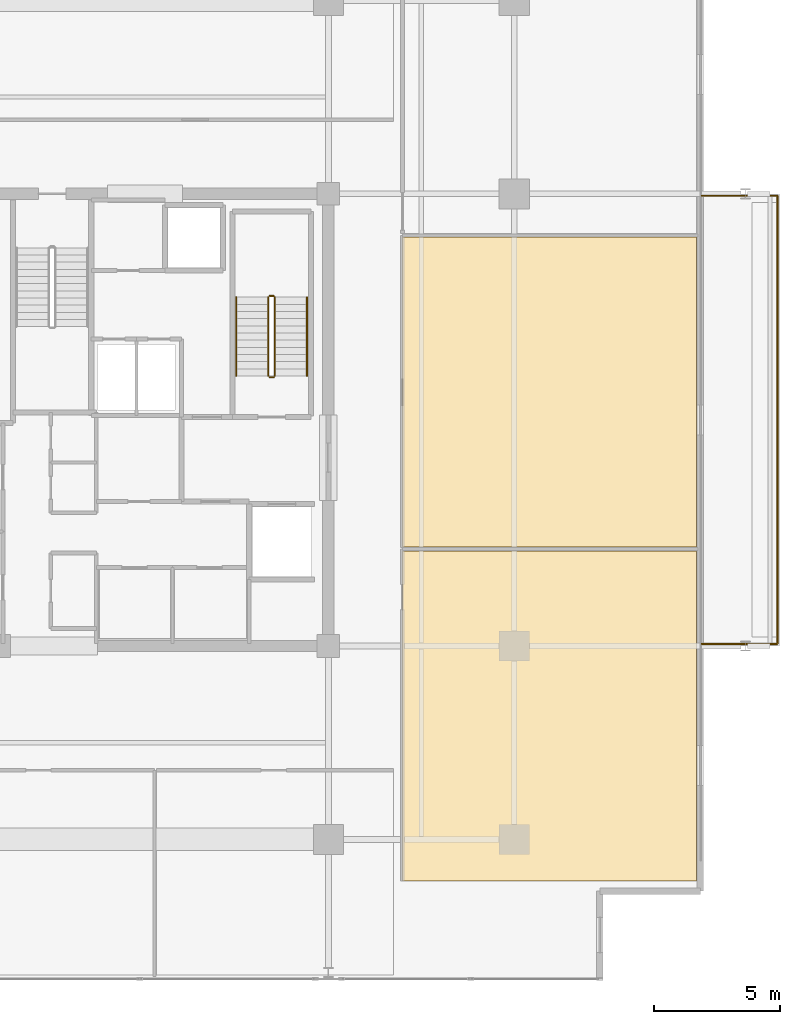
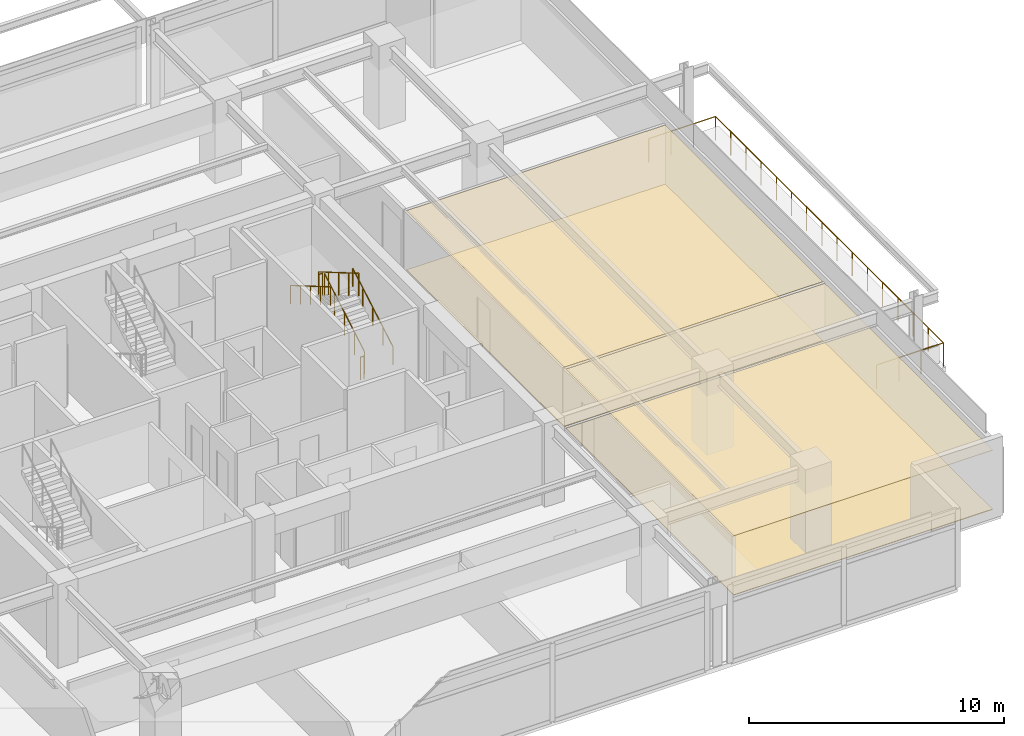
# One storey, part 19 of 20: 7 railings, 4 coverings.
"""IFC4 building model written with IfcOpenShell, lengths in metres."""

from ifc_helpers import new_model, si_unit, direction, frame, origin, origin_2d, place, context, subcontext, project, spatial, polyline, circle, outline, extrude, material, layer, layer_set, type_object, element, save


model = new_model("IFC4")

# Units and contexts
model_context = context("Model", 3, precision=1e-05, world=origin(), true_north=direction((0.0, 1.0)))
body_context = subcontext(model_context, "Body", "Model", "MODEL_VIEW")
ifc_project = project(units=[si_unit("LENGTHUNIT", "METRE"), si_unit("AREAUNIT", "SQUARE_METRE"), si_unit("VOLUMEUNIT", "CUBIC_METRE"), si_unit("PLANEANGLEUNIT", "RADIAN"), si_unit("MASSUNIT", "GRAM", prefix="KILO")], contexts=[model_context])

# Site, building, storey
site_placement = place(None, origin())
site = spatial("IfcSite", under=ifc_project, at=site_placement, CompositionType="ELEMENT")
building_placement = place(site_placement, origin())
building = spatial("IfcBuilding", under=site, at=building_placement, Name="Kovane Verandah Tower", CompositionType="ELEMENT")
storey_placement = place(building_placement, frame((0.0, 0.0, 279.199951171875)))
storey = spatial("IfcBuildingStorey", under=building, at=storey_placement, Name="L65", CompositionType="ELEMENT", Elevation=279.199951171875)

# Coverings
ifc_material_1 = material(Name="Perforated Acoustic Mineral-Fibre Ceiling Tile", Category="gypsum")
ifc_layer_1 = layer(ifc_material_1, 0.02490234375)
ifc_layer_set_1 = layer_set([ifc_layer_1], Name="Perforated Acoustic Mineral-Fibre Ceiling Tile")
covering_type_1 = type_object("IfcCoveringType", Name="CV-CEIL-25", PredefinedType="CEILING", material=ifc_layer_set_1)
covering_1_placement = place(storey_placement, frame((0.0, 0.0, 2.824951171875)))
element("IfcCovering", 1, at=covering_1_placement, inside=storey, type_object=covering_type_1, Name="L65 Open Plan Office E1 Acoustic Ceiling", PredefinedType="CEILING", context=body_context, shape_type="SweptSolid", body=[
    extrude(outline(polyline([(53.949951171875, 9.143798828125), (65.65966796875, 9.143798828125), (65.65966796875, 22.290283203125), (53.949951171875, 22.290283203125), (53.949951171875, 9.143798828125)])), origin(), (0.0, 0.0, 1.0), 0.025146484375),
])
covering_2_placement = place(storey_placement, frame((0.0, 0.0, 2.824951171875)))
element("IfcCovering", 2, at=covering_2_placement, inside=storey, type_object=covering_type_1, Name="L65 Executive Office E2 Acoustic Ceiling", PredefinedType="CEILING", context=body_context, shape_type="SweptSolid", body=[
    extrude(outline(polyline([(53.949951171875, 22.43017578125), (65.65966796875, 22.43017578125), (65.65966796875, 34.7724609375), (53.949951171875, 34.7724609375), (53.949951171875, 22.43017578125)])), origin(), (0.0, 0.0, 1.0), 0.025146484375),
])
ifc_material_2 = material(Name="Polished Terrazzo and Raised-Access Carpet Tile Finish", Category="concrete")
ifc_layer_2 = layer(ifc_material_2, 0.030029296875)
ifc_layer_set_2 = layer_set([ifc_layer_2], Name="Polished Terrazzo and Raised-Access Carpet Tile Finish")
covering_type_2 = type_object("IfcCoveringType", Name="CV-FLOR-30", PredefinedType="FLOORING", material=ifc_layer_set_2)
covering_3_placement = place(storey_placement, origin())
element("IfcCovering", 3, at=covering_3_placement, inside=storey, type_object=covering_type_2, Name="L65 Open Plan Office E1 Floor Finish", PredefinedType="FLOORING", context=body_context, shape_type="SweptSolid", body=[
    extrude(outline(polyline([(53.949951171875, 9.143798828125), (65.65966796875, 9.143798828125), (65.65966796875, 22.290283203125), (53.949951171875, 22.290283203125), (53.949951171875, 9.143798828125)])), origin(), (0.0, 0.0, 1.0), 0.030029296875),
])
covering_4_placement = place(storey_placement, origin())
element("IfcCovering", 4, at=covering_4_placement, inside=storey, type_object=covering_type_2, Name="L65 Executive Office E2 Floor Finish", PredefinedType="FLOORING", context=body_context, shape_type="SweptSolid", body=[
    extrude(outline(polyline([(53.949951171875, 22.43017578125), (65.65966796875, 22.43017578125), (65.65966796875, 34.7724609375), (53.949951171875, 34.7724609375), (53.949951171875, 22.43017578125)])), origin(), (0.0, 0.0, 1.0), 0.030029296875),
])

# Railings
ifc_material_3 = material(Name="Laminated Glass and Pale-Champagne Stainless Balustrade", Category="glass")
railing_type_1 = type_object("IfcRailingType", Name="RL-BAL-1150", PredefinedType="BALUSTRADE", material=ifc_material_3)
railing_1_placement = place(storey_placement, frame((65.859619140625, 18.580078125, 0.0)))
element("IfcRailing", 5, at=railing_1_placement, inside=storey, type_object=railing_type_1, Name="L65 E Verandah Glass Balustrade", PredefinedType="BALUSTRADE", context=body_context, shape_type="SweptSolid", body=[
    extrude(circle(Radius=0.02392578125, at=origin_2d()), frame((0.0, 0.0, 1.1259765625), z_axis=(1.0, 0.0, 0.0), x_axis=(0.0, 1.0, 0.0)), (0.0, 0.0, 1.0), 3.02001953125),
    extrude(circle(Radius=0.02392578125, at=origin_2d()), frame((3.02001953125, 0.0, 1.1259765625), z_axis=(0.0, 1.0, 0.0), x_axis=(-1.0, 0.0, 0.0)), (0.0, 0.0, 1.0), 17.83984375),
    extrude(circle(Radius=0.02392578125, at=origin_2d()), frame((3.02001953125, 17.83984375, 1.1259765625), z_axis=(-1.0, 0.0, 0.0), x_axis=(0.0, -1.0, 0.0)), (0.0, 0.0, 1.0), 3.02001953125),
    extrude(circle(Radius=0.02099609375, at=origin_2d()), origin(), (0.0, 0.0, 1.0), 1.101806640625),
    extrude(circle(Radius=0.02099609375, at=origin_2d()), frame((1.006591796875, 0.0, 0.0)), (0.0, 0.0, 1.0), 1.101806640625),
    extrude(circle(Radius=0.02099609375, at=origin_2d()), frame((2.013427734375, 0.0, 0.0)), (0.0, 0.0, 1.0), 1.101806640625),
    extrude(circle(Radius=0.02099609375, at=origin_2d()), frame((3.02001953125, 0.0, 0.0)), (0.0, 0.0, 1.0), 1.101806640625),
    extrude(circle(Radius=0.02099609375, at=origin_2d()), frame((3.02001953125, 1.189208984375, 0.0)), (0.0, 0.0, 1.0), 1.101806640625),
    extrude(circle(Radius=0.02099609375, at=origin_2d()), frame((3.02001953125, 2.378662109375, 0.0)), (0.0, 0.0, 1.0), 1.101806640625),
    extrude(circle(Radius=0.02099609375, at=origin_2d()), frame((3.02001953125, 3.56787109375, 0.0)), (0.0, 0.0, 1.0), 1.101806640625),
    extrude(circle(Radius=0.02099609375, at=origin_2d()), frame((3.02001953125, 4.75732421875, 0.0)), (0.0, 0.0, 1.0), 1.101806640625),
    extrude(circle(Radius=0.02099609375, at=origin_2d()), frame((3.02001953125, 5.946533203125, 0.0)), (0.0, 0.0, 1.0), 1.101806640625),
    extrude(circle(Radius=0.02099609375, at=origin_2d()), frame((3.02001953125, 7.135986328125, 0.0)), (0.0, 0.0, 1.0), 1.101806640625),
    extrude(circle(Radius=0.02099609375, at=origin_2d()), frame((3.02001953125, 8.3251953125, 0.0)), (0.0, 0.0, 1.0), 1.101806640625),
    extrude(circle(Radius=0.02099609375, at=origin_2d()), frame((3.02001953125, 9.5146484375, 0.0)), (0.0, 0.0, 1.0), 1.101806640625),
    extrude(circle(Radius=0.02099609375, at=origin_2d()), frame((3.02001953125, 10.703857421875, 0.0)), (0.0, 0.0, 1.0), 1.101806640625),
    extrude(circle(Radius=0.02099609375, at=origin_2d()), frame((3.02001953125, 11.893310546875, 0.0)), (0.0, 0.0, 1.0), 1.101806640625),
    extrude(circle(Radius=0.02099609375, at=origin_2d()), frame((3.02001953125, 13.08251953125, 0.0)), (0.0, 0.0, 1.0), 1.101806640625),
    extrude(circle(Radius=0.02099609375, at=origin_2d()), frame((3.02001953125, 14.27197265625, 0.0)), (0.0, 0.0, 1.0), 1.101806640625),
    extrude(circle(Radius=0.02099609375, at=origin_2d()), frame((3.02001953125, 15.461181640625, 0.0)), (0.0, 0.0, 1.0), 1.101806640625),
    extrude(circle(Radius=0.02099609375, at=origin_2d()), frame((3.02001953125, 16.650634765625, 0.0)), (0.0, 0.0, 1.0), 1.101806640625),
    extrude(circle(Radius=0.02099609375, at=origin_2d()), frame((3.02001953125, 17.83984375, 0.0)), (0.0, 0.0, 1.0), 1.101806640625),
    extrude(circle(Radius=0.02099609375, at=origin_2d()), frame((2.013427734375, 17.83984375, 0.0)), (0.0, 0.0, 1.0), 1.101806640625),
    extrude(circle(Radius=0.02099609375, at=origin_2d()), frame((1.006591796875, 17.83984375, 0.0)), (0.0, 0.0, 1.0), 1.101806640625),
    extrude(circle(Radius=0.02099609375, at=origin_2d()), frame((0.0, 17.83984375, 0.0)), (0.0, 0.0, 1.0), 1.101806640625),
])
ifc_material_4 = material(Name="Brushed Stainless Steel Handrail", Category="steel")
railing_type_2 = type_object("IfcRailingType", Name="RL-HAND-920", PredefinedType="HANDRAIL", material=ifc_material_4)
railing_2_placement = place(storey_placement, frame((50.14990234375, 29.25, 0.166748046875)))
element("IfcRailing", 6, at=railing_2_placement, inside=storey, type_object=railing_type_2, Name="L65 ST-02 stair handrail 1", PredefinedType="HANDRAIL", context=body_context, shape_type="SweptSolid", body=[
    extrude(circle(Radius=0.02392578125, at=origin_2d()), frame((0.0, 0.0, 0.8759765625), z_axis=(0.0, 0.863239559939, 0.504794475164), x_axis=(-1.0, 0.0, 0.0)), (0.0, 0.0, 1.0), 3.631591796875),
    extrude(circle(Radius=0.02099609375, at=origin_2d()), origin(), (0.0, 0.0, 1.0), 0.851806640625),
    extrude(circle(Radius=0.02099609375, at=origin_2d()), frame((0.0, 0.78369140625, 0.458251953125)), (0.0, 0.0, 1.0), 0.851806640625),
    extrude(circle(Radius=0.02099609375, at=origin_2d()), frame((0.0, 1.5673828125, 0.91650390625)), (0.0, 0.0, 1.0), 0.851806640625),
    extrude(circle(Radius=0.02099609375, at=origin_2d()), frame((0.0, 2.351318359375, 1.375)), (0.0, 0.0, 1.0), 0.851806640625),
    extrude(circle(Radius=0.02099609375, at=origin_2d()), frame((0.0, 3.135009765625, 1.833251953125)), (0.0, 0.0, 1.0), 0.851806640625),
])
railing_3_placement = place(storey_placement, frame((47.330078125, 32.385009765625, 2.166748046875)))
element("IfcRailing", 7, at=railing_3_placement, inside=storey, type_object=railing_type_2, Name="L65 ST-02 stair handrail 2", PredefinedType="HANDRAIL", context=body_context, shape_type="SweptSolid", body=[
    extrude(circle(Radius=0.02392578125, at=origin_2d()), frame((0.0, 0.0, 0.8759765625), z_axis=(0.0, -0.863239559939, 0.504794475164), x_axis=(1.0, 0.0, 0.0)), (0.0, 0.0, 1.0), 3.631591796875),
    extrude(circle(Radius=0.02099609375, at=origin_2d()), origin(), (0.0, 0.0, 1.0), 0.851806640625),
    extrude(circle(Radius=0.02099609375, at=origin_2d()), frame((0.0, -0.78369140625, 0.458251953125)), (0.0, 0.0, 1.0), 0.851806640625),
    extrude(circle(Radius=0.02099609375, at=origin_2d()), frame((0.0, -1.5673828125, 0.91650390625)), (0.0, 0.0, 1.0), 0.851806640625),
    extrude(circle(Radius=0.02099609375, at=origin_2d()), frame((0.0, -2.351318359375, 1.375)), (0.0, 0.0, 1.0), 0.851806640625),
    extrude(circle(Radius=0.02099609375, at=origin_2d()), frame((0.0, -3.135009765625, 1.833251953125)), (0.0, 0.0, 1.0), 0.851806640625),
])
ifc_material_5 = material(Name="Painted Steel Stairwell Guardrail", Category="steel")
railing_type_3 = type_object("IfcRailingType", Name="RL-STGUARD-1120", PredefinedType="GUARDRAIL", material=ifc_material_5)
railing_4_placement = place(storey_placement, frame((48.8701171875, 29.25, 0.166748046875)))
element("IfcRailing", 8, at=railing_4_placement, inside=storey, type_object=railing_type_3, Name="L65 ST-02 stair guard 1", PredefinedType="GUARDRAIL", context=body_context, shape_type="SweptSolid", body=[
    extrude(circle(Radius=0.02392578125, at=origin_2d()), frame((0.0, 0.0, 1.076171875), z_axis=(0.0, 0.863239559939, 0.504794475164), x_axis=(-1.0, 0.0, 0.0)), (0.0, 0.0, 1.0), 3.631591796875),
    extrude(circle(Radius=0.02099609375, at=origin_2d()), origin(), (0.0, 0.0, 1.0), 1.052001953125),
    extrude(circle(Radius=0.02099609375, at=origin_2d()), frame((0.0, 0.78369140625, 0.458251953125)), (0.0, 0.0, 1.0), 1.052001953125),
    extrude(circle(Radius=0.02099609375, at=origin_2d()), frame((0.0, 1.5673828125, 0.91650390625)), (0.0, 0.0, 1.0), 1.052001953125),
    extrude(circle(Radius=0.02099609375, at=origin_2d()), frame((0.0, 2.351318359375, 1.375)), (0.0, 0.0, 1.0), 1.052001953125),
    extrude(circle(Radius=0.02099609375, at=origin_2d()), frame((0.0, 3.135009765625, 1.833251953125)), (0.0, 0.0, 1.0), 1.052001953125),
])
railing_5_placement = place(storey_placement, frame((48.820068359375, 32.43505859375, 2.0)))
element("IfcRailing", 9, at=railing_5_placement, inside=storey, type_object=railing_type_3, Name="L65 ST-02 stair guard 2", PredefinedType="GUARDRAIL", context=body_context, shape_type="SweptSolid", body=[
    extrude(circle(Radius=0.02392578125, at=origin_2d()), frame((0.0, 0.0, 1.076171875), z_axis=(-1.0, 0.0, 0.0), x_axis=(0.0, -1.0, 0.0)), (0.0, 0.0, 1.0), 0.16015625),
    extrude(circle(Radius=0.02099609375, at=origin_2d()), origin(), (0.0, 0.0, 1.0), 1.052001953125),
    extrude(circle(Radius=0.02099609375, at=origin_2d()), frame((-0.16015625, 0.0, 0.0)), (0.0, 0.0, 1.0), 1.052001953125),
])
railing_6_placement = place(storey_placement, frame((48.610107421875, 32.385009765625, 2.166748046875)))
element("IfcRailing", 10, at=railing_6_placement, inside=storey, type_object=railing_type_3, Name="L65 ST-02 stair guard 3", PredefinedType="GUARDRAIL", context=body_context, shape_type="SweptSolid", body=[
    extrude(circle(Radius=0.02392578125, at=origin_2d()), frame((0.0, 0.0, 1.076171875), z_axis=(0.0, -0.863239559939, 0.504794475164), x_axis=(1.0, 0.0, 0.0)), (0.0, 0.0, 1.0), 3.631591796875),
    extrude(circle(Radius=0.02099609375, at=origin_2d()), origin(), (0.0, 0.0, 1.0), 1.052001953125),
    extrude(circle(Radius=0.02099609375, at=origin_2d()), frame((0.0, -0.78369140625, 0.458251953125)), (0.0, 0.0, 1.0), 1.052001953125),
    extrude(circle(Radius=0.02099609375, at=origin_2d()), frame((0.0, -1.5673828125, 0.91650390625)), (0.0, 0.0, 1.0), 1.052001953125),
    extrude(circle(Radius=0.02099609375, at=origin_2d()), frame((0.0, -2.351318359375, 1.375)), (0.0, 0.0, 1.0), 1.052001953125),
    extrude(circle(Radius=0.02099609375, at=origin_2d()), frame((0.0, -3.135009765625, 1.833251953125)), (0.0, 0.0, 1.0), 1.052001953125),
])
railing_7_placement = place(storey_placement, frame((48.820068359375, 29.199951171875, 0.0)))
element("IfcRailing", 11, at=railing_7_placement, inside=storey, type_object=railing_type_3, Name="L65 ST-02 stair guard 4", PredefinedType="GUARDRAIL", context=body_context, shape_type="SweptSolid", body=[
    extrude(circle(Radius=0.02392578125, at=origin_2d()), frame((0.0, 0.0, 1.076171875), z_axis=(-1.0, 0.0, 0.0), x_axis=(0.0, -1.0, 0.0)), (0.0, 0.0, 1.0), 0.16015625),
    extrude(circle(Radius=0.02099609375, at=origin_2d()), origin(), (0.0, 0.0, 1.0), 1.052001953125),
    extrude(circle(Radius=0.02099609375, at=origin_2d()), frame((-0.16015625, 0.0, 0.0)), (0.0, 0.0, 1.0), 1.052001953125),
])

save(model, "model.ifc")
